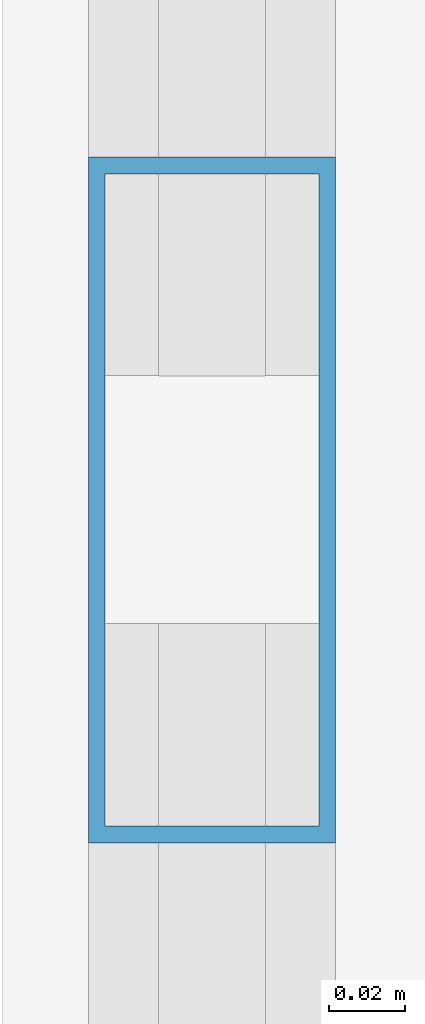
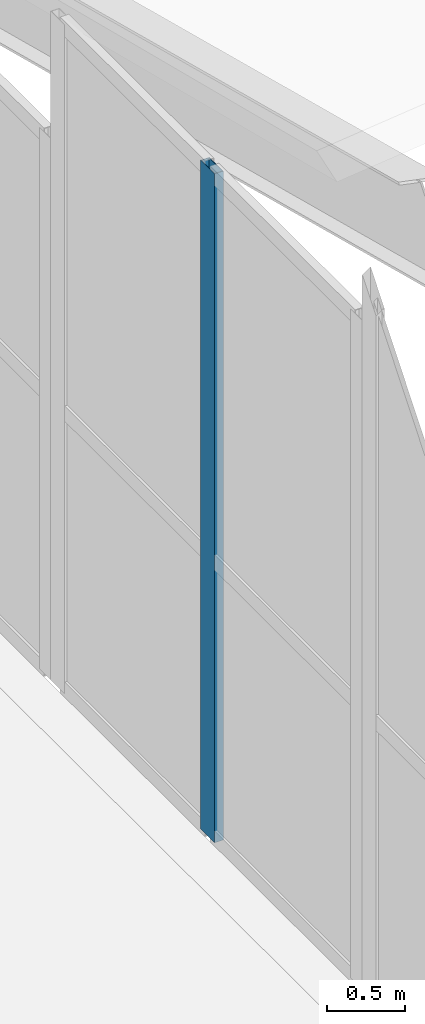
# One storey, part 71 of 184: 1 member, 1 element without a shape of its own.
"""IFC4 building model written with IfcOpenShell, lengths in metres."""

from ifc_helpers import new_model, si_unit, direction, frame, origin, origin_2d, place, context, subcontext, project, spatial, hollow_rectangle, extrude, material, material_profile, profile_set, type_object, element, aggregate, save


model = new_model("IFC4")

# Units and contexts
model_context = context("Model", 3, precision=1e-05, world=origin(), true_north=direction((0.0, 1.0)))
body_context = subcontext(model_context, "Body", "Model", "MODEL_VIEW")
ifc_project = project(units=[si_unit("LENGTHUNIT", "METRE"), si_unit("AREAUNIT", "SQUARE_METRE"), si_unit("VOLUMEUNIT", "CUBIC_METRE"), si_unit("PLANEANGLEUNIT", "RADIAN"), si_unit("MASSUNIT", "GRAM", prefix="KILO")], contexts=[model_context])

# Site, building, storey
site_placement = place(None, origin())
site = spatial("IfcSite", under=ifc_project, at=site_placement, CompositionType="ELEMENT")
building_placement = place(site_placement, origin())
building = spatial("IfcBuilding", under=site, at=building_placement, Name="Selatvlak General Hospital", CompositionType="ELEMENT")
storey_placement = place(building_placement, frame((0.0, 0.0, 15.0)))
storey = spatial("IfcBuildingStorey", under=building, at=storey_placement, Name="L03", CompositionType="ELEMENT", Elevation=15.0)

# Curtain wall, member
ifc_material_1 = material(Name="Solar-control Low-E double glazing", Category="glass")
curtain_wall_type = type_object("IfcCurtainWallType", Name="CW-CW-05", PredefinedType="USERDEFINED", material=ifc_material_1)
curtain_wall_placement = place(storey_placement, origin())
curtain_wall = element("IfcCurtainWall", 1, at=curtain_wall_placement, inside=storey, type_object=curtain_wall_type, Name="Glazed facade curtain wall CW-L03-0727", ObjectType="STICK GLAZING WALL", PredefinedType="USERDEFINED")
ifc_material_2 = material(Name="Dark anodised aluminium mullion", Category="aluminium")
ifc_material_profile = material_profile(ifc_material_2, hollow_rectangle(XDim=0.06494140625, YDim=0.179931640625, WallThickness=0.00439453125, at=origin_2d()), Name="AL-MUL 65x180x4.5")
ifc_profile_set = profile_set([ifc_material_profile], Name="Dark anodised aluminium mullion")
member_type = type_object("IfcMemberType", Name="CWM-02", PredefinedType="MULLION", material=ifc_profile_set)
member_placement = place(storey_placement, frame((22.8798828125, 74.02490234375, 0.0), z_axis=(0.0, 0.0, 1.0), x_axis=(-1.0, 0.0, 0.0)))
member = element("IfcMember", 2, at=member_placement, type_object=member_type, Name="CW-05 mullion 2", PredefinedType="MULLION", context=body_context, shape_type="SweptSolid", body=[
    extrude(hollow_rectangle(XDim=0.06494140625, YDim=0.179931640625, WallThickness=0.00439453125, at=origin_2d()), origin(), (0.0, 0.0, 1.0), 5.25),
])
aggregate(curtain_wall, [member])

save(model, "model.ifc")
